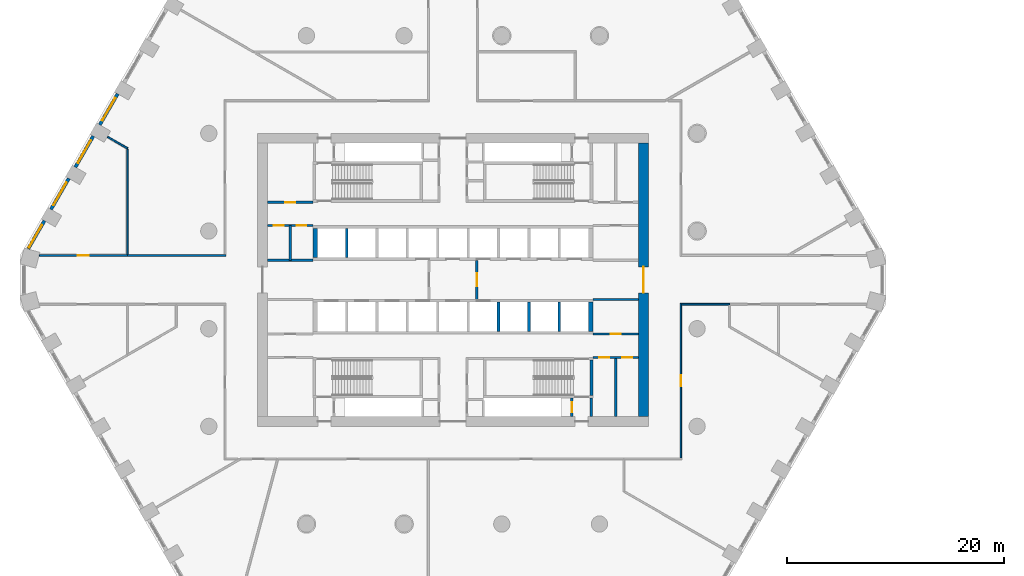
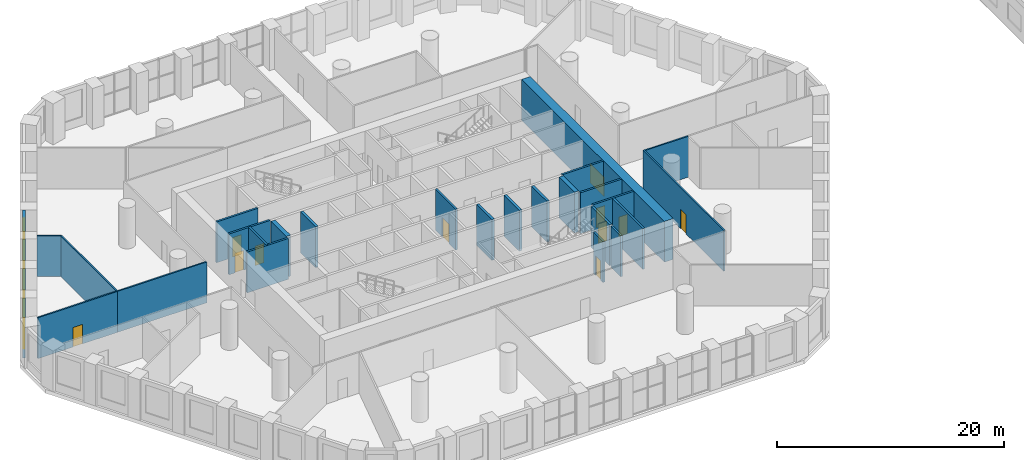
# One storey, part 9 of 26: 29 walls, 11 doors, 4 windows, 15 openings.
"""IFC4 building model written with IfcOpenShell, lengths in metres."""

from ifc_helpers import new_model, si_unit, direction, frame, frame_2d, origin, place, context, subcontext, project, spatial, polyline, rectangle, outline, extrude, material, layer, layer_set, type_object, element, fill, save


model = new_model("IFC4")

# Units and contexts
model_context = context("Model", 3, precision=1e-05, world=origin(), true_north=direction((0.0, 1.0)))
body_context = subcontext(model_context, "Body", "Model", "MODEL_VIEW")
ifc_project = project(units=[si_unit("LENGTHUNIT", "METRE"), si_unit("AREAUNIT", "SQUARE_METRE"), si_unit("VOLUMEUNIT", "CUBIC_METRE"), si_unit("PLANEANGLEUNIT", "RADIAN"), si_unit("MASSUNIT", "GRAM", prefix="KILO")], contexts=[model_context])

# Site, building, storey
site_placement = place(None, origin())
site = spatial("IfcSite", under=ifc_project, at=site_placement, CompositionType="ELEMENT")
building_placement = place(site_placement, origin())
building = spatial("IfcBuilding", under=site, at=building_placement, Name="Dhurran Vertical Campus", CompositionType="ELEMENT")
storey_placement = place(building_placement, frame((0.0, 0.0, 15.60009765625)))
storey = spatial("IfcBuildingStorey", under=building, at=storey_placement, Name="L03", CompositionType="ELEMENT", Elevation=15.60009765625)

# Wall, opening, window
ifc_material_1 = material(Name="Precast concrete C50/60", Category="concrete")
ifc_layer_1 = layer(ifc_material_1, 0.300048828125)
ifc_layer_set_1 = layer_set([ifc_layer_1], Name="Precast concrete C50/60")
wall_type_1 = type_object("IfcWallType", Name="Precast spandrel wall 300", PredefinedType="SOLIDWALL", material=ifc_layer_set_1)
wall_1_placement = place(storey_placement, frame((-30.894287109375, 17.143310546875, 0.0), z_axis=(0.0, 0.0, 1.0), x_axis=(-0.499991515992, -0.866030301974, 0.0)))
wall_1 = element("IfcWall", 1, at=wall_1_placement, inside=storey, type_object=wall_type_1, Name="EW1 L03.39", PredefinedType="SOLIDWALL", context=body_context, shape_type="SweptSolid", body=[
    extrude(rectangle(XDim=3.298828125, YDim=0.300048828125, at=frame_2d((1.6494140625, 0.0))), origin(), (0.0, 0.0, 1.0), 4.39990234375),
])
opening_1_placement = place(wall_1_placement, frame((0.449462890625, 0.0, 0.89990234375)))
opening_1 = element("IfcOpeningElement", 2, at=opening_1_placement, cuts=wall_1, Name="Opening WT2", PredefinedType="OPENING", context=body_context, shape_type="SweptSolid", body=[
    extrude(rectangle(XDim=2.39990234375, YDim=3.0, at=frame_2d((1.199951171875, 1.5))), frame((0.0, 0.159912109375, 0.0), z_axis=(0.0, -1.0, 0.0), x_axis=(1.0, 0.0, 0.0)), (0.0, 0.0, 1.0), 0.320068359375),
])
ifc_material_2 = material(Name="Aluminium frame with solar-control glass", Category="aluminium")
window_type = type_object("IfcWindowType", Name="Podium window 2400 x 3000", PartitioningType="SINGLE_PANEL", PredefinedType="WINDOW", material=ifc_material_2)
window_1_placement = place(opening_1_placement, origin())
window_1 = element("IfcWindow", 3, at=window_1_placement, inside=storey, type_object=window_type, Name="WT2 L03.39", OverallHeight=3.0, OverallWidth=2.39990234375, PartitioningType="SINGLE_PANEL", PredefinedType="WINDOW", context=body_context, shape_type="SweptSolid", body=[
    extrude(rectangle(XDim=2.39990234375, YDim=3.0, at=frame_2d((1.199951171875, 1.5))), frame((0.0, 0.030029296875, 0.0), z_axis=(0.0, -1.0, 0.0), x_axis=(1.0, 0.0, 0.0)), (0.0, 0.0, 1.0), 0.06005859375),
])
fill(opening_1, window_1)

wall_2_placement = place(storey_placement, frame((-33.144287109375, 13.246337890625, 0.0), z_axis=(0.0, 0.0, 1.0), x_axis=(-0.499991515992, -0.866030301974, 0.0)))
wall_2 = element("IfcWall", 4, at=wall_2_placement, inside=storey, type_object=wall_type_1, Name="EW1 L03.40", PredefinedType="SOLIDWALL", context=body_context, shape_type="SweptSolid", body=[
    extrude(rectangle(XDim=3.298828125, YDim=0.300048828125, at=frame_2d((1.6494140625, 0.0))), origin(), (0.0, 0.0, 1.0), 4.39990234375),
])
opening_2_placement = place(wall_2_placement, frame((0.449462890625, 0.0, 0.89990234375)))
opening_2 = element("IfcOpeningElement", 5, at=opening_2_placement, cuts=wall_2, Name="Opening WT2", PredefinedType="OPENING", context=body_context, shape_type="SweptSolid", body=[
    extrude(rectangle(XDim=2.39990234375, YDim=3.0, at=frame_2d((1.199951171875, 1.5))), frame((0.0, 0.159912109375, 0.0), z_axis=(0.0, -1.0, 0.0), x_axis=(1.0, 0.0, 0.0)), (0.0, 0.0, 1.0), 0.320068359375),
])
window_2_placement = place(opening_2_placement, origin())
window_2 = element("IfcWindow", 6, at=window_2_placement, inside=storey, type_object=window_type, Name="WT2 L03.40", OverallHeight=3.0, OverallWidth=2.39990234375, PartitioningType="SINGLE_PANEL", PredefinedType="WINDOW", context=body_context, shape_type="SweptSolid", body=[
    extrude(rectangle(XDim=2.39990234375, YDim=3.0, at=frame_2d((1.199951171875, 1.5))), frame((0.0, 0.030029296875, 0.0), z_axis=(0.0, -1.0, 0.0), x_axis=(1.0, 0.0, 0.0)), (0.0, 0.0, 1.0), 0.06005859375),
])
fill(opening_2, window_2)

wall_3_placement = place(storey_placement, frame((-35.394287109375, 9.34912109375, 0.0), z_axis=(0.0, 0.0, 1.0), x_axis=(-0.499991515992, -0.866030301974, 0.0)))
wall_3 = element("IfcWall", 7, at=wall_3_placement, inside=storey, type_object=wall_type_1, Name="EW1 L03.41", PredefinedType="SOLIDWALL", context=body_context, shape_type="SweptSolid", body=[
    extrude(rectangle(XDim=3.298828125, YDim=0.300048828125, at=frame_2d((1.6494140625, 0.0))), origin(), (0.0, 0.0, 1.0), 4.39990234375),
])
opening_3_placement = place(wall_3_placement, frame((0.449462890625, 0.0, 0.89990234375)))
opening_3 = element("IfcOpeningElement", 8, at=opening_3_placement, cuts=wall_3, Name="Opening WT2", PredefinedType="OPENING", context=body_context, shape_type="SweptSolid", body=[
    extrude(rectangle(XDim=2.39990234375, YDim=3.0, at=frame_2d((1.199951171875, 1.5))), frame((0.0, 0.159912109375, 0.0), z_axis=(0.0, -1.0, 0.0), x_axis=(1.0, 0.0, 0.0)), (0.0, 0.0, 1.0), 0.320068359375),
])
window_3_placement = place(opening_3_placement, origin())
window_3 = element("IfcWindow", 9, at=window_3_placement, inside=storey, type_object=window_type, Name="WT2 L03.41", OverallHeight=3.0, OverallWidth=2.39990234375, PartitioningType="SINGLE_PANEL", PredefinedType="WINDOW", context=body_context, shape_type="SweptSolid", body=[
    extrude(rectangle(XDim=2.39990234375, YDim=3.0, at=frame_2d((1.199951171875, 1.5))), frame((0.0, 0.030029296875, 0.0), z_axis=(0.0, -1.0, 0.0), x_axis=(1.0, 0.0, 0.0)), (0.0, 0.0, 1.0), 0.06005859375),
])
fill(opening_3, window_3)

wall_4_placement = place(storey_placement, frame((-37.644287109375, 5.4521484375, 0.0), z_axis=(0.0, 0.0, 1.0), x_axis=(-0.49999586137, -0.866027793211, 0.0)))
wall_4 = element("IfcWall", 10, at=wall_4_placement, inside=storey, type_object=wall_type_1, Name="EW1 L03.42", PredefinedType="SOLIDWALL", context=body_context, shape_type="SweptSolid", body=[
    extrude(rectangle(XDim=2.98876953125, YDim=0.300048828125, at=frame_2d((1.494384765625, 0.0))), origin(), (0.0, 0.0, 1.0), 4.39990234375),
])
opening_4_placement = place(wall_4_placement, frame((0.449462890625, 0.0, 0.89990234375)))
opening_4 = element("IfcOpeningElement", 11, at=opening_4_placement, cuts=wall_4, Name="Opening WT2", PredefinedType="OPENING", context=body_context, shape_type="SweptSolid", body=[
    extrude(rectangle(XDim=2.39990234375, YDim=3.0, at=frame_2d((1.199951171875, 1.5))), frame((0.0, 0.159912109375, 0.0), z_axis=(0.0, -1.0, 0.0), x_axis=(1.0, 0.0, 0.0)), (0.0, 0.0, 1.0), 0.320068359375),
])
window_4_placement = place(opening_4_placement, origin())
window_4 = element("IfcWindow", 12, at=window_4_placement, inside=storey, type_object=window_type, Name="WT2 L03.42", OverallHeight=3.0, OverallWidth=2.39990234375, PartitioningType="SINGLE_PANEL", PredefinedType="WINDOW", context=body_context, shape_type="SweptSolid", body=[
    extrude(rectangle(XDim=2.39990234375, YDim=3.0, at=frame_2d((1.199951171875, 1.5))), frame((0.0, 0.030029296875, 0.0), z_axis=(0.0, -1.0, 0.0), x_axis=(1.0, 0.0, 0.0)), (0.0, 0.0, 1.0), 0.06005859375),
])
fill(opening_4, window_4)

# Wall, opening, door
ifc_material_3 = material(Name="Concrete C60/75", Category="concrete")
ifc_layer_2 = layer(ifc_material_3, 0.89990234375)
ifc_layer_set_2 = layer_set([ifc_layer_2], Name="Concrete C60/75")
wall_type_2 = type_object("IfcWallType", Name="co-CORE-WALL-C0-900", PredefinedType="SHEAR", material=ifc_layer_set_2)
wall_5_placement = place(storey_placement, frame((17.550048828125, -12.60009765625, 0.0), z_axis=(0.0, 0.0, 1.0), x_axis=(0.0, 1.0, 0.0)))
wall_5 = element("IfcWall", 13, at=wall_5_placement, inside=storey, type_object=wall_type_2, Name="Core wall E L03", PredefinedType="SHEAR", context=body_context, shape_type="SweptSolid", body=[
    extrude(rectangle(XDim=25.2001953125, YDim=0.89990234375, at=frame_2d((12.60009765625, 0.0))), origin(), (0.0, 0.0, 1.0), 4.39990234375),
])
opening_5_placement = place(wall_5_placement, frame((11.39990234375, 0.0, 0.0)))
opening_5 = element("IfcOpeningElement", 14, at=opening_5_placement, cuts=wall_5, Name="Opening CL2", PredefinedType="OPENING", context=body_context, shape_type="SweptSolid", body=[
    extrude(rectangle(XDim=2.39990234375, YDim=2.10009765625, at=frame_2d((1.199951171875, 1.050048828125))), frame((0.0, 0.4599609375, 0.0), z_axis=(0.0, -1.0, 0.0), x_axis=(1.0, 0.0, 0.0)), (0.0, 0.0, 1.0), 0.919921875),
])
ifc_material_4 = material(Name="Fire-rated glazed door set")
door_type_1 = type_object("IfcDoorType", Name="co-D-LOBBY 2400x2100", OperationType="DOUBLE_DOOR_DOUBLE_SWING", PredefinedType="DOOR", material=ifc_material_4)
door_1_placement = place(opening_5_placement, origin())
door_1 = element("IfcDoor", 15, at=door_1_placement, inside=storey, type_object=door_type_1, Name="Lift lobby door E L03", OperationType="DOUBLE_DOOR_DOUBLE_SWING", OverallHeight=2.10009765625, OverallWidth=2.39990234375, PredefinedType="DOOR", context=body_context, shape_type="SweptSolid", body=[
    extrude(rectangle(XDim=2.39990234375, YDim=2.10009765625, at=frame_2d((1.199951171875, 1.050048828125))), frame((0.0, 0.02490234375, 0.0), z_axis=(0.0, -1.0, 0.0), x_axis=(1.0, 0.0, 0.0)), (0.0, 0.0, 1.0), 0.050048828125),
])
fill(opening_5, door_1)

ifc_material_5 = material(Name="Fire-rated masonry blockwork", Category="masonry")
ifc_layer_3 = layer(ifc_material_5, 0.199951171875)
ifc_layer_set_3 = layer_set([ifc_layer_3], Name="Fire-rated masonry blockwork")
wall_type_3 = type_object("IfcWallType", Name="co-FIRE-PARTITION-200", PredefinedType="PARTITIONING", material=ifc_layer_set_3)
wall_6_placement = place(storey_placement, frame((2.199951171875, -1.800048828125, 0.0), z_axis=(0.0, 0.0, 1.0), x_axis=(0.0, 1.0, 0.0)))
wall_6 = element("IfcWall", 16, at=wall_6_placement, inside=storey, type_object=wall_type_3, Name="Firefighting lobby wall E L03", PredefinedType="PARTITIONING", context=body_context, shape_type="SweptSolid", body=[
    extrude(rectangle(XDim=3.60009765625, YDim=0.199951171875, at=frame_2d((1.800048828125, 0.0))), origin(), (0.0, 0.0, 1.0), 4.39990234375),
])
opening_6_placement = place(wall_6_placement, frame((1.199951171875, 0.0, 0.0)))
opening_6 = element("IfcOpeningElement", 17, at=opening_6_placement, cuts=wall_6, Name="Opening FL2", PredefinedType="OPENING", context=body_context, shape_type="SweptSolid", body=[
    extrude(rectangle(XDim=1.199951171875, YDim=2.10009765625, at=frame_2d((0.60009765625, 1.050048828125))), frame((0.0, 0.10986328125, 0.0), z_axis=(0.0, -1.0, 0.0), x_axis=(1.0, 0.0, 0.0)), (0.0, 0.0, 1.0), 0.219970703125),
])
ifc_material_6 = material(Name="Fire-rated steel door set", Category="steel")
door_type_2 = type_object("IfcDoorType", Name="co-D-FFLOBBY 1200x2100", OperationType="SINGLE_SWING_LEFT", PredefinedType="DOOR", material=ifc_material_6)
door_2_placement = place(opening_6_placement, origin())
door_2 = element("IfcDoor", 18, at=door_2_placement, inside=storey, type_object=door_type_2, Name="Firefighting lobby door E L03", OperationType="SINGLE_SWING_LEFT", OverallHeight=2.10009765625, OverallWidth=1.199951171875, PredefinedType="DOOR", context=body_context, shape_type="SweptSolid", body=[
    extrude(rectangle(XDim=1.199951171875, YDim=2.10009765625, at=frame_2d((0.60009765625, 1.050048828125))), frame((0.0, 0.02490234375, 0.0), z_axis=(0.0, -1.0, 0.0), x_axis=(1.0, 0.0, 0.0)), (0.0, 0.0, 1.0), 0.050048828125),
])
fill(opening_6, door_2)

# Wall
wall_7_placement = place(storey_placement, frame((12.75, -12.60009765625, 0.0), z_axis=(0.0, 0.0, 1.0), x_axis=(0.0, 1.0, 0.0)))
element("IfcWall", 19, at=wall_7_placement, inside=storey, type_object=wall_type_3, Name="Core partition pass-ST4-o L03", PredefinedType="PARTITIONING", context=body_context, shape_type="SweptSolid", body=[
    extrude(rectangle(XDim=1.7001953125, YDim=0.199951171875, at=frame_2d((0.85009765625, 0.0))), origin(), (0.0, 0.0, 1.0), 4.39990234375),
])

# Wall, opening, door
wall_8_placement = place(storey_placement, frame((10.949951171875, -12.60009765625, 0.0), z_axis=(0.0, 0.0, 1.0), x_axis=(0.0, 1.0, 0.0)))
wall_8 = element("IfcWall", 20, at=wall_8_placement, inside=storey, type_object=wall_type_3, Name="Core partition pass-ST4-i L03", PredefinedType="PARTITIONING", context=body_context, shape_type="SweptSolid", body=[
    extrude(rectangle(XDim=1.7001953125, YDim=0.199951171875, at=frame_2d((0.85009765625, 0.0))), origin(), (0.0, 0.0, 1.0), 4.39990234375),
])
opening_7_placement = place(wall_8_placement, frame((0.39990234375, 0.0, 0.0)))
opening_7 = element("IfcOpeningElement", 21, at=opening_7_placement, cuts=wall_8, Name="Opening PD03-C13", PredefinedType="OPENING", context=body_context, shape_type="SweptSolid", body=[
    extrude(rectangle(XDim=0.89990234375, YDim=2.10009765625, at=frame_2d((0.449951171875, 1.050048828125))), frame((0.0, 0.10986328125, 0.0), z_axis=(0.0, -1.0, 0.0), x_axis=(1.0, 0.0, 0.0)), (0.0, 0.0, 1.0), 0.219970703125),
])
ifc_material_7 = material(Name="Fire-rated timber door set", Category="wood")
door_type_3 = type_object("IfcDoorType", Name="co-D-ROOM 900x2100", OperationType="SINGLE_SWING_LEFT", PredefinedType="DOOR", material=ifc_material_7)
door_3_placement = place(opening_7_placement, origin())
door_3 = element("IfcDoor", 22, at=door_3_placement, inside=storey, type_object=door_type_3, Name="Riser room door L03", OperationType="SINGLE_SWING_LEFT", OverallHeight=2.10009765625, OverallWidth=0.89990234375, PredefinedType="DOOR", context=body_context, shape_type="SweptSolid", body=[
    extrude(rectangle(XDim=0.89990234375, YDim=2.10009765625, at=frame_2d((0.449951171875, 1.050048828125))), frame((0.0, 0.02490234375, 0.0), z_axis=(0.0, -1.0, 0.0), x_axis=(1.0, 0.0, 0.0)), (0.0, 0.0, 1.0), 0.050048828125),
])
fill(opening_7, door_3)

wall_9_placement = place(storey_placement, frame((-17.10009765625, 7.14990234375, 0.0), z_axis=(0.0, 0.0, 1.0), x_axis=(1.0, 0.0, 0.0)))
wall_9 = element("IfcWall", 23, at=wall_9_placement, inside=storey, type_object=wall_type_3, Name="Core partition en-NW-w L03", PredefinedType="PARTITIONING", context=body_context, shape_type="SweptSolid", body=[
    extrude(rectangle(XDim=4.2001953125, YDim=0.199951171875, at=frame_2d((2.10009765625, 0.0))), origin(), (0.0, 0.0, 1.0), 4.39990234375),
])
opening_8_placement = place(wall_9_placement, frame((1.64990234375, 0.0, 0.0)))
opening_8 = element("IfcOpeningElement", 24, at=opening_8_placement, cuts=wall_9, Name="Opening PD03-C14", PredefinedType="OPENING", context=body_context, shape_type="SweptSolid", body=[
    extrude(rectangle(XDim=0.89990234375, YDim=2.10009765625, at=frame_2d((0.449951171875, 1.050048828125))), frame((0.0, 0.10986328125, 0.0), z_axis=(0.0, -1.0, 0.0), x_axis=(1.0, 0.0, 0.0)), (0.0, 0.0, 1.0), 0.219970703125),
])
door_4_placement = place(opening_8_placement, origin())
door_4 = element("IfcDoor", 25, at=door_4_placement, inside=storey, type_object=door_type_3, Name="Print room door L03", OperationType="SINGLE_SWING_LEFT", OverallHeight=2.10009765625, OverallWidth=0.89990234375, PredefinedType="DOOR", context=body_context, shape_type="SweptSolid", body=[
    extrude(rectangle(XDim=0.89990234375, YDim=2.10009765625, at=frame_2d((0.449951171875, 1.050048828125))), frame((0.0, 0.02490234375, 0.0), z_axis=(0.0, -1.0, 0.0), x_axis=(1.0, 0.0, 0.0)), (0.0, 0.0, 1.0), 0.050048828125),
])
fill(opening_8, door_4)

# Wall
wall_10_placement = place(storey_placement, frame((-15.0, 1.800048828125, 0.0), z_axis=(0.0, 0.0, 1.0), x_axis=(0.0, 1.0, 0.0)))
element("IfcWall", 26, at=wall_10_placement, inside=storey, type_object=wall_type_3, Name="Core partition es-NW-cut0 L03", PredefinedType="PARTITIONING", context=body_context, shape_type="SweptSolid", body=[
    extrude(rectangle(XDim=3.199951171875, YDim=0.199951171875, at=frame_2d((1.60009765625, 0.0))), origin(), (0.0, 0.0, 1.0), 4.39990234375),
])

# Wall, openings, doors
wall_11_placement = place(storey_placement, frame((-17.10009765625, 5.0, 0.0), z_axis=(0.0, 0.0, 1.0), x_axis=(1.0, 0.0, 0.0)))
wall_11 = element("IfcWall", 27, at=wall_11_placement, inside=storey, type_object=wall_type_3, Name="Core partition es-NW-w L03", PredefinedType="PARTITIONING", context=body_context, shape_type="SweptSolid", body=[
    extrude(rectangle(XDim=4.2001953125, YDim=0.199951171875, at=frame_2d((2.10009765625, 0.0))), origin(), (0.0, 0.0, 1.0), 4.39990234375),
])
opening_9_placement = place(wall_11_placement, frame((0.60009765625, 0.0, 0.0)))
opening_9 = element("IfcOpeningElement", 28, at=opening_9_placement, cuts=wall_11, Name="Opening PD03-C15", PredefinedType="OPENING", context=body_context, shape_type="SweptSolid", body=[
    extrude(rectangle(XDim=0.89990234375, YDim=2.10009765625, at=frame_2d((0.449951171875, 1.050048828125))), frame((0.0, 0.10986328125, 0.0), z_axis=(0.0, -1.0, 0.0), x_axis=(1.0, 0.0, 0.0)), (0.0, 0.0, 1.0), 0.219970703125),
])
opening_10_placement = place(wall_11_placement, frame((2.699951171875, 0.0, 0.0)))
opening_10 = element("IfcOpeningElement", 29, at=opening_10_placement, cuts=wall_11, Name="Opening PD03-C16", PredefinedType="OPENING", context=body_context, shape_type="SweptSolid", body=[
    extrude(rectangle(XDim=0.89990234375, YDim=2.10009765625, at=frame_2d((0.449951171875, 1.050048828125))), frame((0.0, 0.10986328125, 0.0), z_axis=(0.0, -1.0, 0.0), x_axis=(1.0, 0.0, 0.0)), (0.0, 0.0, 1.0), 0.219970703125),
])
door_5_placement = place(opening_9_placement, origin())
door_5 = element("IfcDoor", 30, at=door_5_placement, inside=storey, type_object=door_type_3, Name="Plant room door L03", OperationType="SINGLE_SWING_LEFT", OverallHeight=2.10009765625, OverallWidth=0.89990234375, PredefinedType="DOOR", context=body_context, shape_type="SweptSolid", body=[
    extrude(rectangle(XDim=0.89990234375, YDim=2.10009765625, at=frame_2d((0.449951171875, 1.050048828125))), frame((0.0, 0.02490234375, 0.0), z_axis=(0.0, -1.0, 0.0), x_axis=(1.0, 0.0, 0.0)), (0.0, 0.0, 1.0), 0.050048828125),
])
fill(opening_9, door_5)
door_6_placement = place(opening_10_placement, origin())
door_6 = element("IfcDoor", 31, at=door_6_placement, inside=storey, type_object=door_type_3, Name="Communications room door L03", OperationType="SINGLE_SWING_LEFT", OverallHeight=2.10009765625, OverallWidth=0.89990234375, PredefinedType="DOOR", context=body_context, shape_type="SweptSolid", body=[
    extrude(rectangle(XDim=0.89990234375, YDim=2.10009765625, at=frame_2d((0.449951171875, 1.050048828125))), frame((0.0, 0.02490234375, 0.0), z_axis=(0.0, -1.0, 0.0), x_axis=(1.0, 0.0, 0.0)), (0.0, 0.0, 1.0), 0.050048828125),
])
fill(opening_10, door_6)

# Walls
wall_12_placement = place(storey_placement, frame((-17.10009765625, 1.800048828125, 0.0), z_axis=(0.0, 0.0, 1.0), x_axis=(1.0, 0.0, 0.0)))
element("IfcWall", 32, at=wall_12_placement, inside=storey, type_object=wall_type_3, Name="Core partition es-NW-l L03", PredefinedType="PARTITIONING", context=body_context, shape_type="SweptSolid", body=[
    extrude(rectangle(XDim=4.2001953125, YDim=0.199951171875, at=frame_2d((2.10009765625, 0.0))), origin(), (0.0, 0.0, 1.0), 4.39990234375),
])
wall_13_placement = place(storey_placement, frame((15.0, -12.60009765625, 0.0), z_axis=(0.0, 0.0, 1.0), x_axis=(0.0, 1.0, 0.0)))
element("IfcWall", 33, at=wall_13_placement, inside=storey, type_object=wall_type_3, Name="Core partition en-SE-cut0 L03", PredefinedType="PARTITIONING", context=body_context, shape_type="SweptSolid", body=[
    extrude(rectangle(XDim=5.4501953125, YDim=0.199951171875, at=frame_2d((2.72509765625, 0.0))), origin(), (0.0, 0.0, 1.0), 4.39990234375),
])

# Wall, openings, doors
wall_14_placement = place(storey_placement, frame((12.89990234375, -7.14990234375, 0.0), z_axis=(0.0, 0.0, 1.0), x_axis=(1.0, 0.0, 0.0)))
wall_14 = element("IfcWall", 34, at=wall_14_placement, inside=storey, type_object=wall_type_3, Name="Core partition en-SE-w L03", PredefinedType="PARTITIONING", context=body_context, shape_type="SweptSolid", body=[
    extrude(rectangle(XDim=4.2001953125, YDim=0.199951171875, at=frame_2d((2.10009765625, 0.0))), origin(), (0.0, 0.0, 1.0), 4.39990234375),
])
opening_11_placement = place(wall_14_placement, frame((0.60009765625, 0.0, 0.0)))
opening_11 = element("IfcOpeningElement", 35, at=opening_11_placement, cuts=wall_14, Name="Opening PD03-C22", PredefinedType="OPENING", context=body_context, shape_type="SweptSolid", body=[
    extrude(rectangle(XDim=0.89990234375, YDim=2.10009765625, at=frame_2d((0.449951171875, 1.050048828125))), frame((0.0, 0.10986328125, 0.0), z_axis=(0.0, -1.0, 0.0), x_axis=(1.0, 0.0, 0.0)), (0.0, 0.0, 1.0), 0.219970703125),
])
opening_12_placement = place(wall_14_placement, frame((2.699951171875, 0.0, 0.0)))
opening_12 = element("IfcOpeningElement", 36, at=opening_12_placement, cuts=wall_14, Name="Opening PD03-C23", PredefinedType="OPENING", context=body_context, shape_type="SweptSolid", body=[
    extrude(rectangle(XDim=0.89990234375, YDim=2.10009765625, at=frame_2d((0.449951171875, 1.050048828125))), frame((0.0, 0.10986328125, 0.0), z_axis=(0.0, -1.0, 0.0), x_axis=(1.0, 0.0, 0.0)), (0.0, 0.0, 1.0), 0.219970703125),
])
door_7_placement = place(opening_11_placement, origin())
door_7 = element("IfcDoor", 37, at=door_7_placement, inside=storey, type_object=door_type_3, Name="Store door L03", OperationType="SINGLE_SWING_LEFT", OverallHeight=2.10009765625, OverallWidth=0.89990234375, PredefinedType="DOOR", context=body_context, shape_type="SweptSolid", body=[
    extrude(rectangle(XDim=0.89990234375, YDim=2.10009765625, at=frame_2d((0.449951171875, 1.050048828125))), frame((0.0, 0.02490234375, 0.0), z_axis=(0.0, -1.0, 0.0), x_axis=(1.0, 0.0, 0.0)), (0.0, 0.0, 1.0), 0.050048828125),
])
fill(opening_11, door_7)
door_8_placement = place(opening_12_placement, origin())
door_8 = element("IfcDoor", 38, at=door_8_placement, inside=storey, type_object=door_type_3, Name="Cleaner's store door L03", OperationType="SINGLE_SWING_LEFT", OverallHeight=2.10009765625, OverallWidth=0.89990234375, PredefinedType="DOOR", context=body_context, shape_type="SweptSolid", body=[
    extrude(rectangle(XDim=0.89990234375, YDim=2.10009765625, at=frame_2d((0.449951171875, 1.050048828125))), frame((0.0, 0.02490234375, 0.0), z_axis=(0.0, -1.0, 0.0), x_axis=(1.0, 0.0, 0.0)), (0.0, 0.0, 1.0), 0.050048828125),
])
fill(opening_12, door_8)

# Wall, opening, door
wall_15_placement = place(storey_placement, frame((12.89990234375, -5.0, 0.0), z_axis=(0.0, 0.0, 1.0), x_axis=(1.0, 0.0, 0.0)))
wall_15 = element("IfcWall", 39, at=wall_15_placement, inside=storey, type_object=wall_type_3, Name="Core partition es-SE-w L03", PredefinedType="PARTITIONING", context=body_context, shape_type="SweptSolid", body=[
    extrude(rectangle(XDim=4.2001953125, YDim=0.199951171875, at=frame_2d((2.10009765625, 0.0))), origin(), (0.0, 0.0, 1.0), 4.39990234375),
])
opening_13_placement = place(wall_15_placement, frame((1.64990234375, 0.0, 0.0)))
opening_13 = element("IfcOpeningElement", 40, at=opening_13_placement, cuts=wall_15, Name="Opening PD03-C24", PredefinedType="OPENING", context=body_context, shape_type="SweptSolid", body=[
    extrude(rectangle(XDim=0.89990234375, YDim=2.10009765625, at=frame_2d((0.449951171875, 1.050048828125))), frame((0.0, 0.10986328125, 0.0), z_axis=(0.0, -1.0, 0.0), x_axis=(1.0, 0.0, 0.0)), (0.0, 0.0, 1.0), 0.219970703125),
])
door_9_placement = place(opening_13_placement, origin())
door_9 = element("IfcDoor", 41, at=door_9_placement, inside=storey, type_object=door_type_3, Name="Waste room door L03", OperationType="SINGLE_SWING_LEFT", OverallHeight=2.10009765625, OverallWidth=0.89990234375, PredefinedType="DOOR", context=body_context, shape_type="SweptSolid", body=[
    extrude(rectangle(XDim=0.89990234375, YDim=2.10009765625, at=frame_2d((0.449951171875, 1.050048828125))), frame((0.0, 0.02490234375, 0.0), z_axis=(0.0, -1.0, 0.0), x_axis=(1.0, 0.0, 0.0)), (0.0, 0.0, 1.0), 0.050048828125),
])
fill(opening_13, door_9)

# Walls
wall_16_placement = place(storey_placement, frame((12.89990234375, -1.800048828125, 0.0), z_axis=(0.0, 0.0, 1.0), x_axis=(1.0, 0.0, 0.0)))
element("IfcWall", 42, at=wall_16_placement, inside=storey, type_object=wall_type_3, Name="Core partition es-SE-l L03", PredefinedType="PARTITIONING", context=body_context, shape_type="SweptSolid", body=[
    extrude(rectangle(XDim=4.2001953125, YDim=0.199951171875, at=frame_2d((2.10009765625, 0.0))), origin(), (0.0, 0.0, 1.0), 4.39990234375),
])
ifc_material_8 = material(Name="Concrete C50/60", Category="concrete")
ifc_layer_4 = layer(ifc_material_8, 0.25)
ifc_layer_set_4 = layer_set([ifc_layer_4], Name="Concrete C50/60")
wall_type_4 = type_object("IfcWallType", Name="co-SHAFT-MASS-250", PredefinedType="SHEAR", material=ifc_layer_set_4)
wall_17_placement = place(storey_placement, origin())
element("IfcWall", 43, at=wall_17_placement, inside=storey, type_object=wall_type_4, Name="Lift shaft wall N L03 2", PredefinedType="SHEAR", context=body_context, shape_type="SweptSolid", body=[
    extrude(outline(polyline([(-12.89990234375, 2.050048828125), (-12.47509765625, 2.050048828125), (-12.47509765625, 4.75), (-12.89990234375, 4.75), (-12.89990234375, 2.050048828125)])), origin(), (0.0, 0.0, 1.0), 4.39990234375),
])
wall_18_placement = place(storey_placement, origin())
element("IfcWall", 44, at=wall_18_placement, inside=storey, type_object=wall_type_4, Name="Lift shaft wall N L03 3", PredefinedType="SHEAR", context=body_context, shape_type="SweptSolid", body=[
    extrude(outline(polyline([(-9.925048828125, 2.050048828125), (-9.675048828125, 2.050048828125), (-9.675048828125, 4.75), (-9.925048828125, 4.75), (-9.925048828125, 2.050048828125)])), origin(), (0.0, 0.0, 1.0), 4.39990234375),
])
wall_19_placement = place(storey_placement, origin())
element("IfcWall", 45, at=wall_19_placement, inside=storey, type_object=wall_type_4, Name="Lift shaft wall S L03 8", PredefinedType="SHEAR", context=body_context, shape_type="SweptSolid", body=[
    extrude(outline(polyline([(4.074951171875, -4.75), (4.324951171875, -4.75), (4.324951171875, -2.050048828125), (4.074951171875, -2.050048828125), (4.074951171875, -4.75)])), origin(), (0.0, 0.0, 1.0), 4.39990234375),
])
wall_20_placement = place(storey_placement, origin())
element("IfcWall", 46, at=wall_20_placement, inside=storey, type_object=wall_type_4, Name="Lift shaft wall S L03 9", PredefinedType="SHEAR", context=body_context, shape_type="SweptSolid", body=[
    extrude(outline(polyline([(6.875, -4.75), (7.125, -4.75), (7.125, -2.050048828125), (6.875, -2.050048828125), (6.875, -4.75)])), origin(), (0.0, 0.0, 1.0), 4.39990234375),
])
wall_21_placement = place(storey_placement, origin())
element("IfcWall", 47, at=wall_21_placement, inside=storey, type_object=wall_type_4, Name="Lift shaft wall S L03 10", PredefinedType="SHEAR", context=body_context, shape_type="SweptSolid", body=[
    extrude(outline(polyline([(9.675048828125, -4.75), (9.925048828125, -4.75), (9.925048828125, -2.050048828125), (9.675048828125, -2.050048828125), (9.675048828125, -4.75)])), origin(), (0.0, 0.0, 1.0), 4.39990234375),
])
wall_22_placement = place(storey_placement, origin())
element("IfcWall", 48, at=wall_22_placement, inside=storey, type_object=wall_type_4, Name="Lift shaft wall S L03 11", PredefinedType="SHEAR", context=body_context, shape_type="SweptSolid", body=[
    extrude(outline(polyline([(12.47509765625, -4.75), (12.89990234375, -4.75), (12.89990234375, -2.050048828125), (12.47509765625, -2.050048828125), (12.47509765625, -4.75)])), origin(), (0.0, 0.0, 1.0), 4.39990234375),
])
ifc_material_9 = material(Name="Concrete C40/50", Category="concrete")
ifc_layer_5 = layer(ifc_material_9, 0.25)
ifc_layer_set_5 = layer_set([ifc_layer_5], Name="Concrete C40/50")
wall_type_5 = type_object("IfcWallType", Name="co-STAIR-WALL-250", PredefinedType="SHEAR", material=ifc_layer_set_5)
wall_23_placement = place(storey_placement, frame((12.77490234375, -10.64990234375, 0.0), z_axis=(0.0, 0.0, 1.0), x_axis=(0.0, 1.0, 0.0)))
element("IfcWall", 49, at=wall_23_placement, inside=storey, type_object=wall_type_5, Name="Stair ST4 enclosure wall L03", PredefinedType="SHEAR", context=body_context, shape_type="SweptSolid", body=[
    extrude(rectangle(XDim=3.25, YDim=0.25, at=frame_2d((1.625, 0.0))), origin(), (0.0, 0.0, 1.0), 4.39990234375),
])

# Wall, opening, door
ifc_material_10 = material(Name="Gypsum board corridor wall on steel studs", Category="steel")
ifc_layer_6 = layer(ifc_material_10, 0.14990234375)
ifc_layer_set_6 = layer_set([ifc_layer_6], Name="Gypsum board corridor wall on steel studs")
wall_type_6 = type_object("IfcWallType", Name="fl-CW-150 corridor wall", PredefinedType="PARTITIONING", material=ifc_layer_set_6)
wall_24_placement = place(storey_placement, frame((-38.115478515625, 2.25, 0.0), z_axis=(0.0, 0.0, 1.0), x_axis=(1.0, 0.0, 0.0)))
wall_24 = element("IfcWall", 50, at=wall_24_placement, inside=storey, type_object=wall_type_6, Name="Partition 03-02", PredefinedType="PARTITIONING", context=body_context, shape_type="SweptSolid", body=[
    extrude(rectangle(XDim=8.115478515625, YDim=0.14990234375, at=frame_2d((4.0576171875, 0.0))), origin(), (0.0, 0.0, 1.0), 4.39990234375),
])
opening_14_placement = place(wall_24_placement, frame((3.5576171875, 0.0, 0.0)))
opening_14 = element("IfcOpeningElement", 51, at=opening_14_placement, cuts=wall_24, Name="Opening PD03.02", PredefinedType="OPENING", context=body_context, shape_type="SweptSolid", body=[
    extrude(rectangle(XDim=1.0, YDim=2.10009765625, at=frame_2d((0.5, 1.050048828125))), frame((0.0, 0.0849609375, 0.0), z_axis=(0.0, -1.0, 0.0), x_axis=(1.0, 0.0, 0.0)), (0.0, 0.0, 1.0), 0.169921875),
])
ifc_material_11 = material(Name="Solid-core timber door set, fire-rated", Category="wood")
door_type_4 = type_object("IfcDoorType", Name="fl-D-1000x2100", OperationType="SINGLE_SWING_LEFT", PredefinedType="DOOR", material=ifc_material_11)
door_10_placement = place(opening_14_placement, origin())
door_10 = element("IfcDoor", 52, at=door_10_placement, inside=storey, type_object=door_type_4, Name="Door 03.02", OperationType="SINGLE_SWING_LEFT", OverallHeight=2.10009765625, OverallWidth=1.0, PredefinedType="DOOR", context=body_context, shape_type="SweptSolid", body=[
    extrude(rectangle(XDim=1.0, YDim=2.10009765625, at=frame_2d((0.5, 1.050048828125))), frame((0.0, 0.02490234375, 0.0), z_axis=(0.0, -1.0, 0.0), x_axis=(1.0, 0.0, 0.0)), (0.0, 0.0, 1.0), 0.050048828125),
])
fill(opening_14, door_10)

# Wall
wall_25_placement = place(storey_placement, frame((-30.0, 2.25, 0.0), z_axis=(0.0, 0.0, 1.0), x_axis=(1.0, 0.0, 0.0)))
element("IfcWall", 53, at=wall_25_placement, inside=storey, type_object=wall_type_6, Name="Partition 03-09", PredefinedType="PARTITIONING", context=body_context, shape_type="SweptSolid", body=[
    extrude(rectangle(XDim=9.074951171875, YDim=0.14990234375, at=frame_2d((4.53759765625, 0.0))), origin(), (0.0, 0.0, 1.0), 4.39990234375),
])

# Wall, opening, door
wall_26_placement = place(storey_placement, frame((21.0, -16.425048828125, 0.0), z_axis=(0.0, 0.0, 1.0), x_axis=(0.0, 1.0, 0.0)))
wall_26 = element("IfcWall", 54, at=wall_26_placement, inside=storey, type_object=wall_type_6, Name="Partition 03-39", PredefinedType="PARTITIONING", context=body_context, shape_type="SweptSolid", body=[
    extrude(rectangle(XDim=14.25, YDim=0.14990234375, at=frame_2d((7.125, 0.0))), origin(), (0.0, 0.0, 1.0), 4.39990234375),
])
opening_15_placement = place(wall_26_placement, frame((6.625, 0.0, 0.0)))
opening_15 = element("IfcOpeningElement", 55, at=opening_15_placement, cuts=wall_26, Name="Opening PD03.13", PredefinedType="OPENING", context=body_context, shape_type="SweptSolid", body=[
    extrude(rectangle(XDim=1.0, YDim=2.10009765625, at=frame_2d((0.5, 1.050048828125))), frame((0.0, 0.0849609375, 0.0), z_axis=(0.0, -1.0, 0.0), x_axis=(1.0, 0.0, 0.0)), (0.0, 0.0, 1.0), 0.169921875),
])
door_11_placement = place(opening_15_placement, origin())
door_11 = element("IfcDoor", 56, at=door_11_placement, inside=storey, type_object=door_type_4, Name="Door 03.13", OperationType="SINGLE_SWING_RIGHT", OverallHeight=2.10009765625, OverallWidth=1.0, PredefinedType="DOOR", context=body_context, shape_type="SweptSolid", body=[
    extrude(rectangle(XDim=1.0, YDim=2.10009765625, at=frame_2d((0.5, 1.050048828125))), frame((0.0, 0.02490234375, 0.0), z_axis=(0.0, -1.0, 0.0), x_axis=(1.0, 0.0, 0.0)), (0.0, 0.0, 1.0), 0.050048828125),
])
fill(opening_15, door_11)

# Walls
wall_27_placement = place(storey_placement, frame((25.5, -2.25, 0.0), z_axis=(0.0, 0.0, 1.0), x_axis=(-1.0, 0.0, 0.0)))
element("IfcWall", 57, at=wall_27_placement, inside=storey, type_object=wall_type_6, Name="Partition 03-40", PredefinedType="PARTITIONING", context=body_context, shape_type="SweptSolid", body=[
    extrude(rectangle(XDim=4.425048828125, YDim=0.14990234375, at=frame_2d((2.21240234375, 0.0))), origin(), (0.0, 0.0, 1.0), 4.39990234375),
])
ifc_material_12 = material(Name="Gypsum board partition on steel studs", Category="steel")
ifc_layer_7 = layer(ifc_material_12, 0.14990234375)
ifc_layer_set_7 = layer_set([ifc_layer_7], Name="Gypsum board partition on steel studs")
wall_type_7 = type_object("IfcWallType", Name="fl-PW-150 fixed partition", PredefinedType="PARTITIONING", material=ifc_layer_set_7)
wall_28_placement = place(storey_placement, frame((-31.830810546875, 13.18115234375, 0.0), z_axis=(0.0, 0.0, 1.0), x_axis=(0.866022134271, -0.500005662921, 0.0)))
element("IfcWall", 58, at=wall_28_placement, inside=storey, type_object=wall_type_7, Name="Partition 03-04", PredefinedType="PARTITIONING", context=body_context, shape_type="SweptSolid", body=[
    extrude(rectangle(XDim=2.13916015625, YDim=0.14990234375, at=frame_2d((1.069580078125, 0.0))), origin(), (0.0, 0.0, 1.0), 4.39990234375),
])
wall_29_placement = place(storey_placement, frame((-30.0, 12.049072265625, 0.0), z_axis=(0.0, 0.0, 1.0), x_axis=(0.0, -1.0, 0.0)))
element("IfcWall", 59, at=wall_29_placement, inside=storey, type_object=wall_type_7, Name="Partition 03-08", PredefinedType="PARTITIONING", context=body_context, shape_type="SweptSolid", body=[
    extrude(rectangle(XDim=9.72412109375, YDim=0.14990234375, at=frame_2d((4.862060546875, 0.0))), origin(), (0.0, 0.0, 1.0), 4.39990234375),
])

save(model, "model.ifc")
